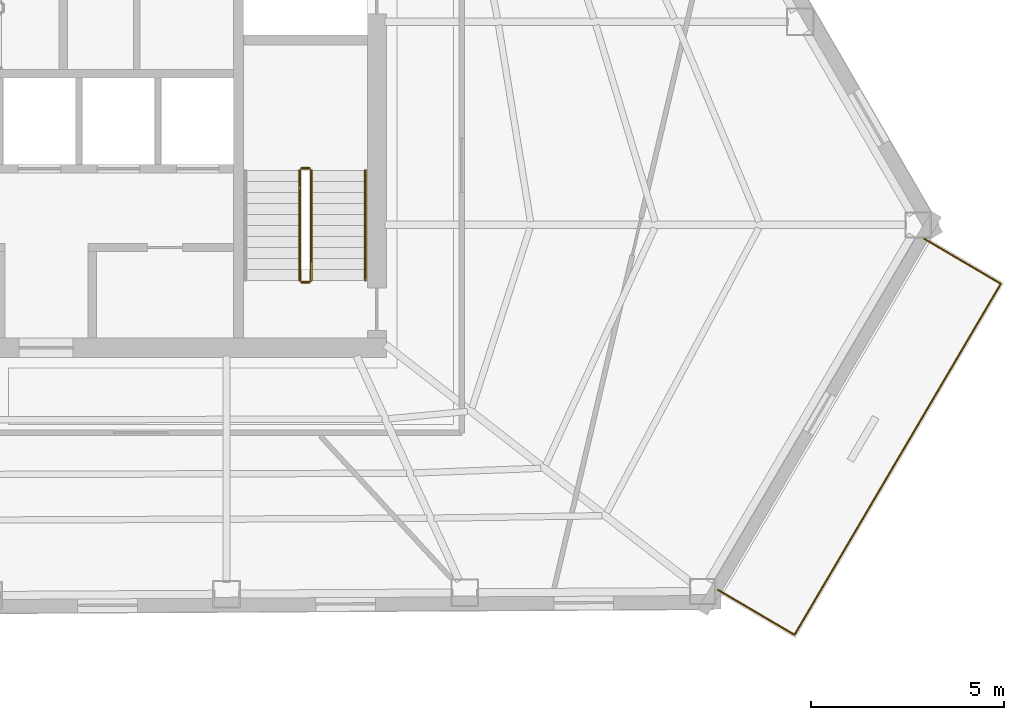
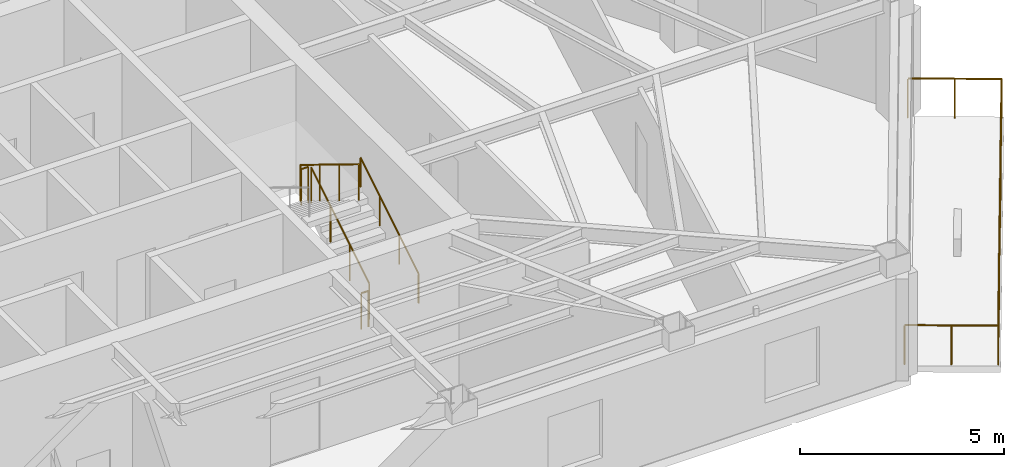
# One storey, part 11 of 11: 8 railings.
"""IFC4 building model written with IfcOpenShell, lengths in metres."""

from ifc_helpers import new_model, si_unit, direction, frame, origin, origin_2d, place, context, subcontext, project, spatial, circle, extrude, material, type_object, element, save


model = new_model("IFC4")

# Units and contexts
model_context = context("Model", 3, precision=1e-05, world=origin(), true_north=direction((0.0, 1.0)))
body_context = subcontext(model_context, "Body", "Model", "MODEL_VIEW")
ifc_project = project(units=[si_unit("LENGTHUNIT", "METRE"), si_unit("AREAUNIT", "SQUARE_METRE"), si_unit("VOLUMEUNIT", "CUBIC_METRE"), si_unit("PLANEANGLEUNIT", "RADIAN"), si_unit("MASSUNIT", "GRAM", prefix="KILO")], contexts=[model_context])

# Site, building, storey
site_placement = place(None, origin())
site = spatial("IfcSite", under=ifc_project, at=site_placement, CompositionType="ELEMENT")
building_placement = place(site_placement, origin())
building = spatial("IfcBuilding", under=site, at=building_placement, Name="Kavelnor Concourse Tower", CompositionType="ELEMENT")
storey_placement = place(building_placement, frame((0.0, 0.0, 139.39990234375)))
storey = spatial("IfcBuildingStorey", under=building, at=storey_placement, Name="L35", CompositionType="ELEMENT", Elevation=139.39990234375)

# Railings
ifc_material_1 = material(Name="Steel Grade 350", Category="steel")
railing_type_1 = type_object("IfcRailingType", Name="RLG-GUARD-1100", PredefinedType="GUARDRAIL", material=ifc_material_1)
railing_1_placement = place(storey_placement, frame((46.070068359375, 11.10009765625, 0.175048828125)))
element("IfcRailing", 1, at=railing_1_placement, inside=storey, type_object=railing_type_1, Name="L35 ST2 stair guard 1", PredefinedType="GUARDRAIL", context=body_context, shape_type="SweptSolid", body=[
    extrude(circle(Radius=0.02392578125, at=origin_2d()), frame((0.0, 0.0, 1.076171875), z_axis=(0.0, 0.852159232446, 0.523282564737), x_axis=(-1.0, 0.0, 0.0)), (0.0, 0.0, 1.0), 3.34423828125),
    extrude(circle(Radius=0.02099609375, at=origin_2d()), origin(), (0.0, 0.0, 1.0), 1.052001953125),
    extrude(circle(Radius=0.02099609375, at=origin_2d()), frame((0.0, 0.949951171875, 0.583251953125)), (0.0, 0.0, 1.0), 1.052001953125),
    extrude(circle(Radius=0.02099609375, at=origin_2d()), frame((0.0, 1.89990234375, 1.166748046875)), (0.0, 0.0, 1.0), 1.052001953125),
    extrude(circle(Radius=0.02099609375, at=origin_2d()), frame((0.0, 2.849853515625, 1.75)), (0.0, 0.0, 1.0), 1.052001953125),
])
railing_2_placement = place(storey_placement, frame((46.02001953125, 14.0, 1.925048828125)))
element("IfcRailing", 2, at=railing_2_placement, inside=storey, type_object=railing_type_1, Name="L35 ST2 stair guard 2", PredefinedType="GUARDRAIL", context=body_context, shape_type="SweptSolid", body=[
    extrude(circle(Radius=0.02392578125, at=origin_2d()), frame((0.0, 0.0, 1.076171875), z_axis=(-1.0, 0.0, 0.0), x_axis=(0.0, -1.0, 0.0)), (0.0, 0.0, 1.0), 0.199951171875),
    extrude(circle(Radius=0.02099609375, at=origin_2d()), origin(), (0.0, 0.0, 1.0), 1.052001953125),
    extrude(circle(Radius=0.02099609375, at=origin_2d()), frame((-0.199951171875, 0.0, 0.0)), (0.0, 0.0, 1.0), 1.052001953125),
])
railing_3_placement = place(storey_placement, frame((45.77001953125, 13.949951171875, 2.10009765625)))
element("IfcRailing", 3, at=railing_3_placement, inside=storey, type_object=railing_type_1, Name="L35 ST2 stair guard 3", PredefinedType="GUARDRAIL", context=body_context, shape_type="SweptSolid", body=[
    extrude(circle(Radius=0.02392578125, at=origin_2d()), frame((0.0, 0.0, 1.076171875), z_axis=(0.0, -0.852159232446, 0.523282564737), x_axis=(1.0, 0.0, 0.0)), (0.0, 0.0, 1.0), 3.34423828125),
    extrude(circle(Radius=0.02099609375, at=origin_2d()), origin(), (0.0, 0.0, 1.0), 1.052001953125),
    extrude(circle(Radius=0.02099609375, at=origin_2d()), frame((0.0, -0.949951171875, 0.583251953125)), (0.0, 0.0, 1.0), 1.052001953125),
    extrude(circle(Radius=0.02099609375, at=origin_2d()), frame((0.0, -1.89990234375, 1.166748046875)), (0.0, 0.0, 1.0), 1.052001953125),
    extrude(circle(Radius=0.02099609375, at=origin_2d()), frame((0.0, -2.849853515625, 1.75)), (0.0, 0.0, 1.0), 1.052001953125),
])
railing_4_placement = place(storey_placement, frame((46.02001953125, 11.050048828125, 0.0)))
element("IfcRailing", 4, at=railing_4_placement, inside=storey, type_object=railing_type_1, Name="L35 ST2 stair guard 4", PredefinedType="GUARDRAIL", context=body_context, shape_type="SweptSolid", body=[
    extrude(circle(Radius=0.02392578125, at=origin_2d()), frame((0.0, 0.0, 1.076171875), z_axis=(-1.0, 0.0, 0.0), x_axis=(0.0, -1.0, 0.0)), (0.0, 0.0, 1.0), 0.199951171875),
    extrude(circle(Radius=0.02099609375, at=origin_2d()), origin(), (0.0, 0.0, 1.0), 1.052001953125),
    extrude(circle(Radius=0.02099609375, at=origin_2d()), frame((-0.199951171875, 0.0, 0.0)), (0.0, 0.0, 1.0), 1.052001953125),
])
railing_type_2 = type_object("IfcRailingType", Name="RLG-HANDRAIL-900", PredefinedType="HANDRAIL", material=ifc_material_1)
railing_5_placement = place(storey_placement, frame((47.469970703125, 11.10009765625, 0.175048828125)))
element("IfcRailing", 5, at=railing_5_placement, inside=storey, type_object=railing_type_2, Name="L35 ST2 stair handrail 1", PredefinedType="HANDRAIL", context=body_context, shape_type="SweptSolid", body=[
    extrude(circle(Radius=0.02392578125, at=origin_2d()), frame((0.0, 0.0, 0.8759765625), z_axis=(0.0, 0.852159232446, 0.523282564737), x_axis=(-1.0, 0.0, 0.0)), (0.0, 0.0, 1.0), 3.34423828125),
    extrude(circle(Radius=0.02099609375, at=origin_2d()), origin(), (0.0, 0.0, 1.0), 0.851806640625),
    extrude(circle(Radius=0.02099609375, at=origin_2d()), frame((0.0, 0.949951171875, 0.583251953125)), (0.0, 0.0, 1.0), 0.851806640625),
    extrude(circle(Radius=0.02099609375, at=origin_2d()), frame((0.0, 1.89990234375, 1.166748046875)), (0.0, 0.0, 1.0), 0.851806640625),
    extrude(circle(Radius=0.02099609375, at=origin_2d()), frame((0.0, 2.849853515625, 1.75)), (0.0, 0.0, 1.0), 0.851806640625),
])
ifc_material_2 = material(Name="Architectural bronze-anodised aluminium", Category="aluminium")
railing_type_3 = type_object("IfcRailingType", Name="RLG-TERRACE-1200", PredefinedType="BALUSTRADE", material=ifc_material_2)
railing_6_placement = place(storey_placement, frame((56.607177734375, 3.0791015625, 0.0)))
element("IfcRailing", 6, at=railing_6_placement, inside=storey, type_object=railing_type_3, Name="L35 Spiral Terrace Guardrail L", PredefinedType="BALUSTRADE", context=body_context, shape_type="SweptSolid", body=[
    extrude(circle(Radius=0.02392578125, at=origin_2d()), frame((0.0, 0.0, 1.17578125), z_axis=(0.862176956372, -0.506607240276, 0.0), x_axis=(0.506607240276, 0.862176956372, 0.0)), (0.0, 0.0, 1.0), 2.300048828125),
    extrude(circle(Radius=0.02099609375, at=origin_2d()), origin(), (0.0, 0.0, 1.0), 1.15185546875),
    extrude(circle(Radius=0.02099609375, at=origin_2d()), frame((0.99169921875, -0.58251953125, 0.0)), (0.0, 0.0, 1.0), 1.15185546875),
    extrude(circle(Radius=0.02099609375, at=origin_2d()), frame((1.983154296875, -1.165283203125, 0.0)), (0.0, 0.0, 1.0), 1.15185546875),
])
railing_7_placement = place(storey_placement, frame((58.59033203125, 1.913818359375, 0.0)))
element("IfcRailing", 7, at=railing_7_placement, inside=storey, type_object=railing_type_3, Name="L35 Spiral Terrace Guardrail F", PredefinedType="BALUSTRADE", context=body_context, shape_type="SweptSolid", body=[
    extrude(circle(Radius=0.02392578125, at=origin_2d()), frame((0.0, 0.0, 1.17578125), z_axis=(0.506579152529, 0.862193459859, 0.0), x_axis=(-0.862193459859, 0.506579152529, 0.0)), (0.0, 0.0, 1.0), 10.550537109375),
    extrude(circle(Radius=0.02099609375, at=origin_2d()), origin(), (0.0, 0.0, 1.0), 1.15185546875),
    extrude(circle(Radius=0.02099609375, at=origin_2d()), frame((0.59375, 1.0107421875, 0.0)), (0.0, 0.0, 1.0), 1.15185546875),
    extrude(circle(Radius=0.02099609375, at=origin_2d()), frame((1.187744140625, 2.021484375, 0.0)), (0.0, 0.0, 1.0), 1.15185546875),
    extrude(circle(Radius=0.02099609375, at=origin_2d()), frame((1.781494140625, 3.0322265625, 0.0)), (0.0, 0.0, 1.0), 1.15185546875),
    extrude(circle(Radius=0.02099609375, at=origin_2d()), frame((2.37548828125, 4.04296875, 0.0)), (0.0, 0.0, 1.0), 1.15185546875),
    extrude(circle(Radius=0.02099609375, at=origin_2d()), frame((2.96923828125, 5.0537109375, 0.0)), (0.0, 0.0, 1.0), 1.15185546875),
    extrude(circle(Radius=0.02099609375, at=origin_2d()), frame((3.563232421875, 6.064453125, 0.0)), (0.0, 0.0, 1.0), 1.15185546875),
    extrude(circle(Radius=0.02099609375, at=origin_2d()), frame((4.156982421875, 7.0751953125, 0.0)), (0.0, 0.0, 1.0), 1.15185546875),
    extrude(circle(Radius=0.02099609375, at=origin_2d()), frame((4.7509765625, 8.0859375, 0.0)), (0.0, 0.0, 1.0), 1.15185546875),
    extrude(circle(Radius=0.02099609375, at=origin_2d()), frame((5.3447265625, 9.0966796875, 0.0)), (0.0, 0.0, 1.0), 1.15185546875),
])
railing_8_placement = place(storey_placement, frame((63.93505859375, 11.010498046875, 0.0)))
element("IfcRailing", 8, at=railing_8_placement, inside=storey, type_object=railing_type_3, Name="L35 Spiral Terrace Guardrail R", PredefinedType="BALUSTRADE", context=body_context, shape_type="SweptSolid", body=[
    extrude(circle(Radius=0.02392578125, at=origin_2d()), frame((0.0, 0.0, 1.17578125), z_axis=(-0.862223315717, 0.50652833468, 0.0), x_axis=(-0.50652833468, -0.862223315717, 0.0)), (0.0, 0.0, 1.0), 2.300048828125),
    extrude(circle(Radius=0.02099609375, at=origin_2d()), origin(), (0.0, 0.0, 1.0), 1.15185546875),
    extrude(circle(Radius=0.02099609375, at=origin_2d()), frame((-0.99169921875, 0.58251953125, 0.0)), (0.0, 0.0, 1.0), 1.15185546875),
    extrude(circle(Radius=0.02099609375, at=origin_2d()), frame((-1.983154296875, 1.1650390625, 0.0)), (0.0, 0.0, 1.0), 1.15185546875),
])

save(model, "model.ifc")
